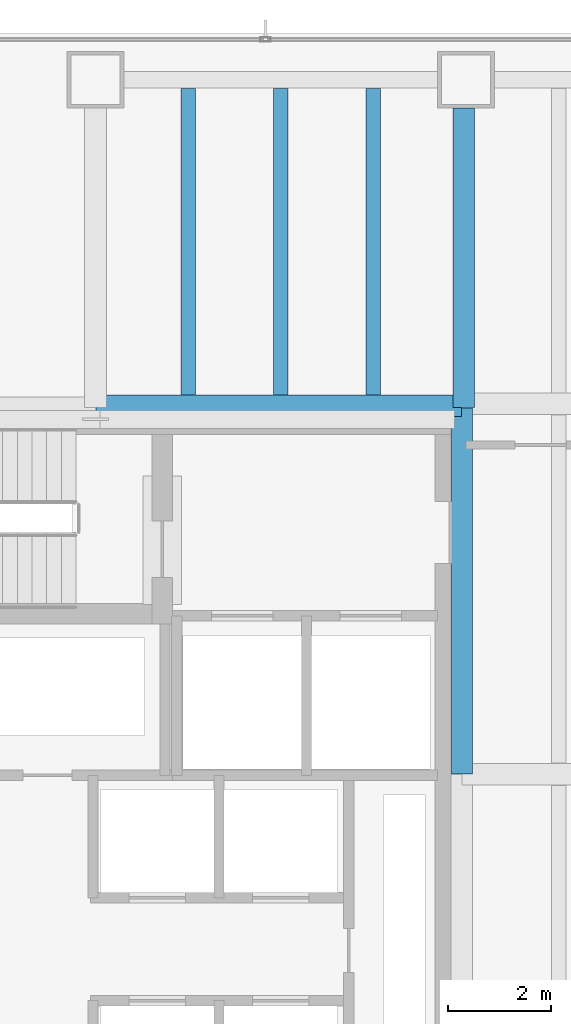
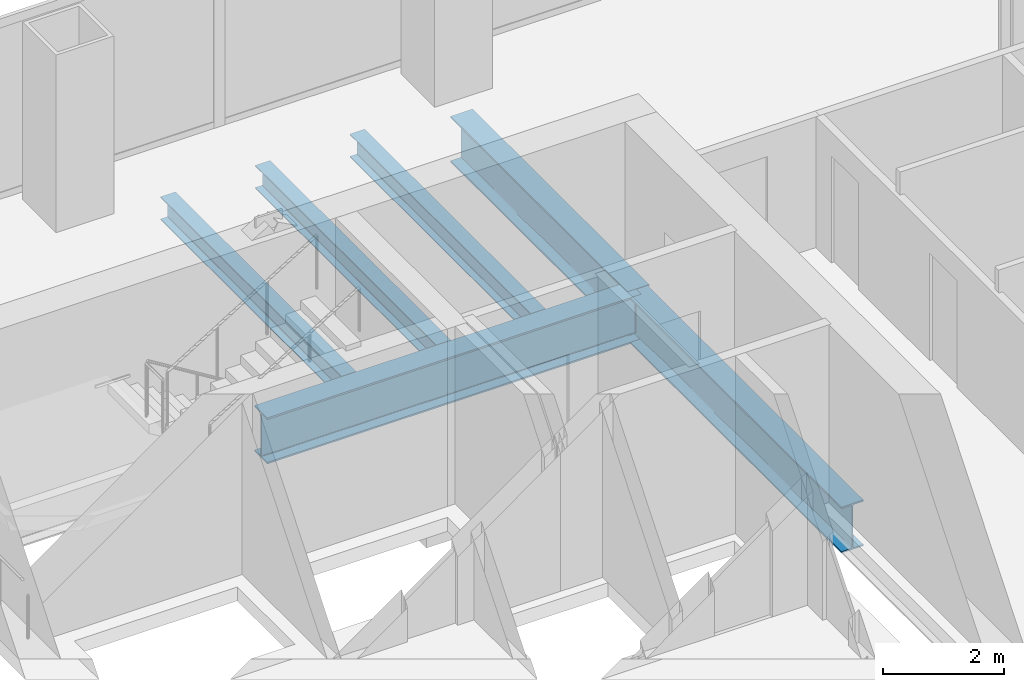
# One storey, part 15 of 25: 6 beams.
"""IFC4 building model written with IfcOpenShell, lengths in metres."""

from ifc_helpers import new_model, si_unit, direction, frame, origin, origin_2d, place, context, subcontext, project, spatial, i_section, extrude, material, material_profile, profile_set, type_object, element, save


model = new_model("IFC4")

# Units and contexts
model_context = context("Model", 3, precision=1e-05, world=origin(), true_north=direction((0.0, 1.0)))
body_context = subcontext(model_context, "Body", "Model", "MODEL_VIEW")
ifc_project = project(units=[si_unit("LENGTHUNIT", "METRE"), si_unit("AREAUNIT", "SQUARE_METRE"), si_unit("VOLUMEUNIT", "CUBIC_METRE"), si_unit("PLANEANGLEUNIT", "RADIAN"), si_unit("MASSUNIT", "GRAM", prefix="KILO")], contexts=[model_context])

# Site, building, storey
site_placement = place(None, origin())
site = spatial("IfcSite", under=ifc_project, at=site_placement, CompositionType="ELEMENT")
building_placement = place(site_placement, origin())
building = spatial("IfcBuilding", under=site, at=building_placement, Name="Cobrela Telecom Tower", CompositionType="ELEMENT")
storey_placement = place(building_placement, frame((0.0, 0.0, 35.0)))
storey = spatial("IfcBuildingStorey", under=building, at=storey_placement, Name="L08", CompositionType="ELEMENT", Elevation=35.0)

# Beams
ifc_material = material(Name="Steel ASTM A992 Grade 50", Category="steel")
ifc_material_profile_1 = material_profile(ifc_material, i_section(OverallWidth=0.4189453125, OverallDepth=0.927001953125, WebThickness=0.019287109375, FlangeThickness=0.031982421875, FilletRadius=0.02392578125, at=origin_2d()), Name="W36X231")
ifc_profile_set_1 = profile_set([ifc_material_profile_1], Name="Steel ASTM A992 Grade 50")
beam_type_1 = type_object("IfcBeamType", Name="BM-GIRD-02", PredefinedType="USERDEFINED", material=ifc_profile_set_1)
beam_1_placement = place(storey_placement, frame((7.205078125, 35.9599609375, -0.743408203125), z_axis=(1.0, 0.0, 0.0), x_axis=(0.0, 1.0, 0.0)))
element("IfcBeam", 1, at=beam_1_placement, inside=storey, type_object=beam_type_1, Name="L08 Primary Girder X26", ObjectType="GIRDER", PredefinedType="USERDEFINED", context=body_context, shape_type="SweptSolid", body=[
    extrude(i_section(OverallWidth=0.4189453125, OverallDepth=0.927001953125, WebThickness=0.019287109375, FlangeThickness=0.031982421875, FilletRadius=0.02392578125, at=origin_2d()), origin(), (0.0, 0.0, 1.0), 7.10986328125),
])
beam_2_placement = place(storey_placement, frame((14.320068359375, 28.804931640625, -0.743408203125), z_axis=(0.0, 1.0, 0.0), x_axis=(-1.0, 0.0, 0.0)))
element("IfcBeam", 2, at=beam_2_placement, inside=storey, type_object=beam_type_1, Name="L08 Primary Girder Y38", ObjectType="GIRDER", PredefinedType="USERDEFINED", context=body_context, shape_type="SweptSolid", body=[
    extrude(i_section(OverallWidth=0.4189453125, OverallDepth=0.927001953125, WebThickness=0.019287109375, FlangeThickness=0.031982421875, FilletRadius=0.02392578125, at=origin_2d()), origin(), (0.0, 0.0, 1.0), 7.110107421875),
])
beam_3_placement = place(storey_placement, frame((14.360107421875, 35.925048828125, -0.743408203125), z_axis=(0.0, 1.0, 0.0), x_axis=(-1.0, 0.0, 0.0)))
element("IfcBeam", 3, at=beam_3_placement, inside=storey, type_object=beam_type_1, Name="L08 Primary Girder Y39", ObjectType="GIRDER", PredefinedType="USERDEFINED", context=body_context, shape_type="SweptSolid", body=[
    extrude(i_section(OverallWidth=0.4189453125, OverallDepth=0.927001953125, WebThickness=0.019287109375, FlangeThickness=0.031982421875, FilletRadius=0.02392578125, at=origin_2d()), origin(), (0.0, 0.0, 1.0), 5.820068359375),
])
ifc_material_profile_2 = material_profile(ifc_material, i_section(OverallWidth=0.281982421875, OverallDepth=0.467041015625, WebThickness=0.01220703125, FlangeThickness=0.01953125, FilletRadius=0.012939453125, at=origin_2d()), Name="W18X86")
ifc_profile_set_2 = profile_set([ifc_material_profile_2], Name="Steel ASTM A992 Grade 50")
beam_type_2 = type_object("IfcBeamType", Name="BM-JOIST-02", PredefinedType="JOIST", material=ifc_profile_set_2)
for number, where, z_axis, x_axis, name in (
    (4, (9.0, 36.174560546875, -0.513427734375), (0.0, 1.0, 0.0), (-1.0, 0.0, 0.0), "L08 Secondary Composite Floor Beam J02"),
    (5, (10.800048828125, 36.174560546875, -0.513427734375), (0.0, 1.0, 0.0), (-1.0, 0.0, 0.0), "L08 Secondary Composite Floor Beam J04"),
    (6, (12.60009765625, 36.174560546875, -0.513427734375), (0.0, 1.0, 0.0), (-1.0, 0.0, 0.0), "L08 Secondary Composite Floor Beam J06"),
):
    element("IfcBeam", number, at=place(storey_placement, frame(where, z_axis=z_axis, x_axis=x_axis)), inside=storey, type_object=beam_type_2, Name=name, PredefinedType="JOIST", context=body_context, shape_type="SweptSolid", body=[
        extrude(i_section(OverallWidth=0.281982421875, OverallDepth=0.467041015625, WebThickness=0.01220703125, FlangeThickness=0.01953125, FilletRadius=0.012939453125, at=origin_2d()), origin(), (0.0, 0.0, 1.0), 5.9580078125),
    ])

save(model, "model.ifc")
